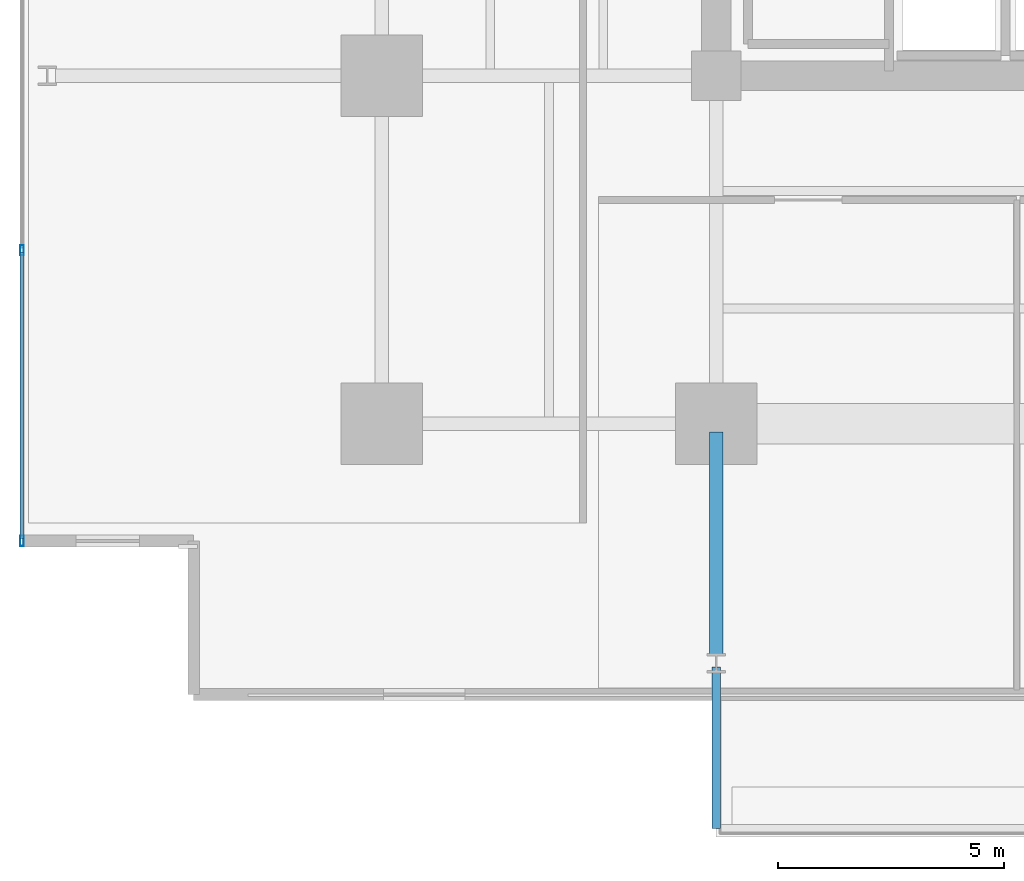
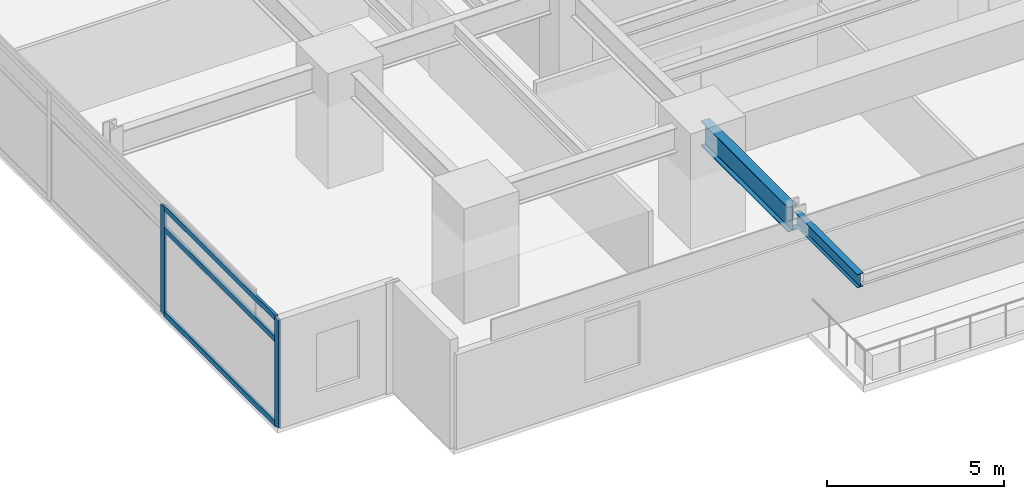
# One storey, part 2 of 23: 5 members, 2 beams, 1 element without a shape of its own.
"""IFC4 building model written with IfcOpenShell, lengths in metres."""

from ifc_helpers import new_model, si_unit, direction, frame, origin, origin_2d, place, context, subcontext, project, spatial, hollow_rectangle, i_section, extrude, material, material_profile, profile_set, type_object, element, aggregate, save


model = new_model("IFC4")

# Units and contexts
model_context = context("Model", 3, precision=1e-05, world=origin(), true_north=direction((0.0, 1.0)))
body_context = subcontext(model_context, "Body", "Model", "MODEL_VIEW")
ifc_project = project(units=[si_unit("LENGTHUNIT", "METRE"), si_unit("AREAUNIT", "SQUARE_METRE"), si_unit("VOLUMEUNIT", "CUBIC_METRE"), si_unit("PLANEANGLEUNIT", "RADIAN"), si_unit("MASSUNIT", "GRAM", prefix="KILO")], contexts=[model_context])

# Site, building, storey
site_placement = place(None, origin())
site = spatial("IfcSite", under=ifc_project, at=site_placement, CompositionType="ELEMENT")
building_placement = place(site_placement, origin())
building = spatial("IfcBuilding", under=site, at=building_placement, Name="Kovane Verandah Tower", CompositionType="ELEMENT")
storey_placement = place(building_placement, frame((0.0, 0.0, 91.60009765625)))
storey = spatial("IfcBuildingStorey", under=building, at=storey_placement, Name="L21", CompositionType="ELEMENT", Elevation=91.60009765625)

# Beam
ifc_material_1 = material(Name="Steel S355", Category="steel")
ifc_material_profile_1 = material_profile(ifc_material_1, i_section(OverallWidth=0.293701171875, OverallDepth=0.850830078125, WebThickness=0.01611328125, FlangeThickness=0.02685546875, FilletRadius=0.017822265625, at=origin_2d()), Name="UB838x292x226")
ifc_profile_set_1 = profile_set([ifc_material_profile_1], Name="Steel S355")
beam_type_1 = type_object("IfcBeamType", Name="BM-UB838x226", PredefinedType="BEAM", material=ifc_profile_set_1)
beam_1_placement = place(storey_placement, frame((29.0, 10.6201171875, 3.33447265625), z_axis=(0.0, -1.0, 0.0), x_axis=(1.0, 0.0, 0.0)))
element("IfcBeam", 1, at=beam_1_placement, inside=storey, type_object=beam_type_1, Name="L21 Primary Tower Girder G-VS1", PredefinedType="BEAM", context=body_context, shape_type="SweptSolid", body=[
    extrude(i_section(OverallWidth=0.293701171875, OverallDepth=0.850830078125, WebThickness=0.01611328125, FlangeThickness=0.02685546875, FilletRadius=0.017822265625, at=origin_2d()), origin(), (0.0, 0.0, 1.0), 4.940185546875),
])

# Curtain wall, members
ifc_material_2 = material(Name="Champagne Anodised Aluminium Frame with Low-E Clear Laminated Glass", Category="aluminium")
curtain_wall_type = type_object("IfcCurtainWallType", Name="CW-SYS-02-LOW", PredefinedType="NOTDEFINED", material=ifc_material_2)
curtain_wall_placement = place(storey_placement, origin())
curtain_wall = element("IfcCurtainWall", 2, at=curtain_wall_placement, inside=storey, type_object=curtain_wall_type, Name="L21 W Unitised Curtain Wall", PredefinedType="NOTDEFINED")
ifc_material_3 = material(Name="Champagne Anodised Aluminium 6063-T6", Category="aluminium")
ifc_material_profile_2 = material_profile(ifc_material_3, hollow_rectangle(XDim=0.0849609375, YDim=0.22998046875, WallThickness=0.00390625, at=origin_2d()), Name="AL85x230x4")
ifc_profile_set_2 = profile_set([ifc_material_profile_2], Name="Champagne Anodised Aluminium 6063-T6")
member_type_1 = type_object("IfcMemberType", Name="CW-MUL-85x230", PredefinedType="MULLION", material=ifc_profile_set_2)
member_1_placement = place(storey_placement, frame((13.635986328125, 14.63671875, 0.02001953125), z_axis=(0.0, 0.0, 1.0), x_axis=(-1.0, 0.0, 0.0)))
member_1 = element("IfcMember", 3, at=member_1_placement, type_object=member_type_1, Name="L21 W Unitised Curtain Wall Mullion 6", PredefinedType="MULLION", context=body_context, shape_type="SweptSolid", body=[
    extrude(hollow_rectangle(XDim=0.0849609375, YDim=0.22998046875, WallThickness=0.00390625, at=origin_2d()), origin(), (0.0, 0.0, 1.0), 3.719970703125),
])
member_2_placement = place(storey_placement, frame((13.635986328125, 8.205078125, 0.02001953125), z_axis=(0.0, 0.0, 1.0), x_axis=(-1.0, 0.0, 0.0)))
member_2 = element("IfcMember", 4, at=member_2_placement, type_object=member_type_1, Name="L21 W Unitised Curtain Wall Mullion 7", PredefinedType="MULLION", context=body_context, shape_type="SweptSolid", body=[
    extrude(hollow_rectangle(XDim=0.0849609375, YDim=0.22998046875, WallThickness=0.00390625, at=origin_2d()), origin(), (0.0, 0.0, 1.0), 3.719970703125),
])
ifc_material_profile_3 = material_profile(ifc_material_3, hollow_rectangle(XDim=0.0849609375, YDim=0.18994140625, WallThickness=0.00390625, at=origin_2d()), Name="AL85x190x4")
ifc_profile_set_3 = profile_set([ifc_material_profile_3], Name="Champagne Anodised Aluminium 6063-T6")
member_type_2 = type_object("IfcMemberType", Name="CW-TRN-85x190", PredefinedType="USERDEFINED", material=ifc_profile_set_3)
member_3_placement = place(storey_placement, frame((13.635986328125, 14.586669921875, 0.0498046875), z_axis=(0.0, -1.0, 0.0), x_axis=(1.0, 0.0, 0.0)))
member_3 = element("IfcMember", 5, at=member_3_placement, type_object=member_type_2, Name="L21 W Unitised Curtain Wall Transom TB Bay 6", ObjectType="TRANSOM", PredefinedType="USERDEFINED", context=body_context, shape_type="SweptSolid", body=[
    extrude(hollow_rectangle(XDim=0.0849609375, YDim=0.18994140625, WallThickness=0.00390625, at=origin_2d()), origin(), (0.0, 0.0, 1.0), 6.33154296875),
])
member_4_placement = place(storey_placement, frame((13.635986328125, 14.586669921875, 2.97998046875), z_axis=(0.0, -1.0, 0.0), x_axis=(1.0, 0.0, 0.0)))
member_4 = element("IfcMember", 6, at=member_4_placement, type_object=member_type_2, Name="L21 W Unitised Curtain Wall Transom TM Bay 6", ObjectType="TRANSOM", PredefinedType="USERDEFINED", context=body_context, shape_type="SweptSolid", body=[
    extrude(hollow_rectangle(XDim=0.0849609375, YDim=0.18994140625, WallThickness=0.00390625, at=origin_2d()), origin(), (0.0, 0.0, 1.0), 6.33154296875),
])
member_5_placement = place(storey_placement, frame((13.635986328125, 14.586669921875, 3.7099609375), z_axis=(0.0, -1.0, 0.0), x_axis=(1.0, 0.0, 0.0)))
member_5 = element("IfcMember", 7, at=member_5_placement, type_object=member_type_2, Name="L21 W Unitised Curtain Wall Transom TT Bay 6", ObjectType="TRANSOM", PredefinedType="USERDEFINED", context=body_context, shape_type="SweptSolid", body=[
    extrude(hollow_rectangle(XDim=0.0849609375, YDim=0.18994140625, WallThickness=0.00390625, at=origin_2d()), origin(), (0.0, 0.0, 1.0), 6.33154296875),
])
aggregate(curtain_wall, [member_1, member_2, member_3, member_4, member_5])

# Beam
ifc_material_profile_4 = material_profile(ifc_material_1, i_section(OverallWidth=0.19287109375, OverallDepth=0.46728515625, WebThickness=0.011474609375, FlangeThickness=0.01953125, FilletRadius=0.01025390625, at=origin_2d()), Name="UB457x191x98")
ifc_profile_set_4 = profile_set([ifc_material_profile_4], Name="Steel S355")
beam_type_2 = type_object("IfcBeamType", Name="JST-UB457x98", PredefinedType="JOIST", material=ifc_profile_set_4)
beam_2_placement = place(storey_placement, frame((29.0, 5.419921875, 3.5263671875), z_axis=(0.0, -1.0, 0.0), x_axis=(1.0, 0.0, 0.0)))
element("IfcBeam", 8, at=beam_2_placement, inside=storey, type_object=beam_type_2, Name="L21 South Planter Girder 1", PredefinedType="JOIST", context=body_context, shape_type="SweptSolid", body=[
    extrude(i_section(OverallWidth=0.19287109375, OverallDepth=0.46728515625, WebThickness=0.011474609375, FlangeThickness=0.01953125, FilletRadius=0.01025390625, at=origin_2d()), origin(), (0.0, 0.0, 1.0), 3.580810546875),
])

save(model, "model.ifc")
